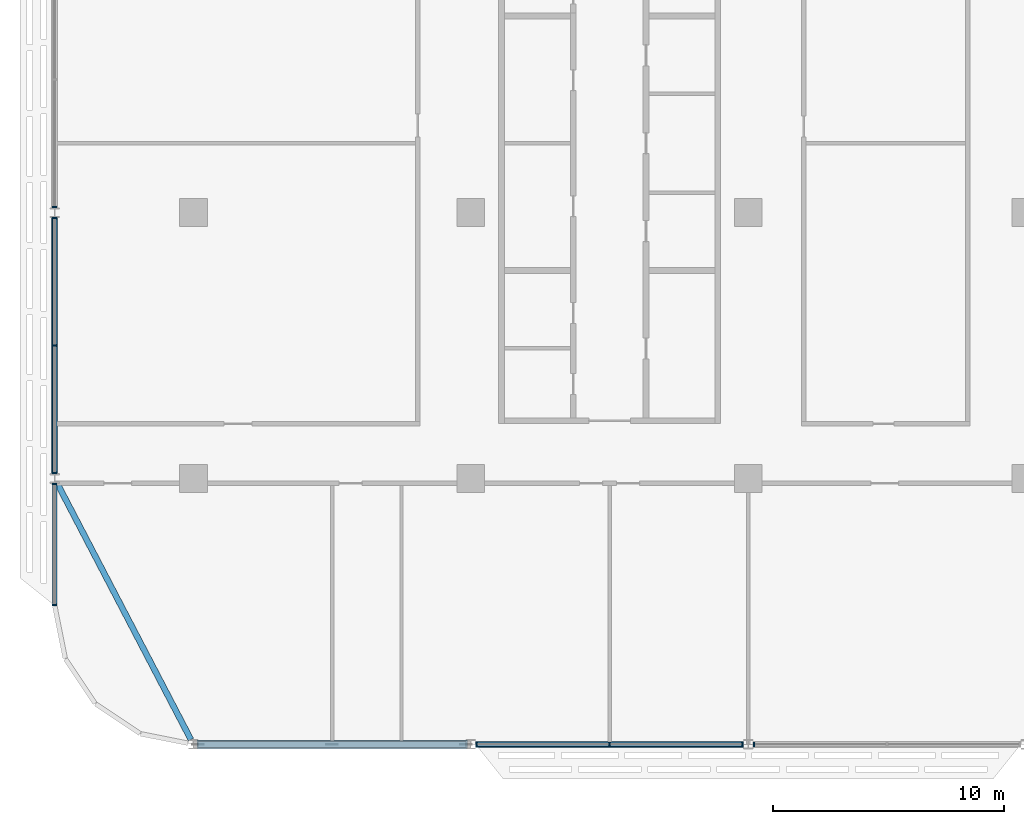
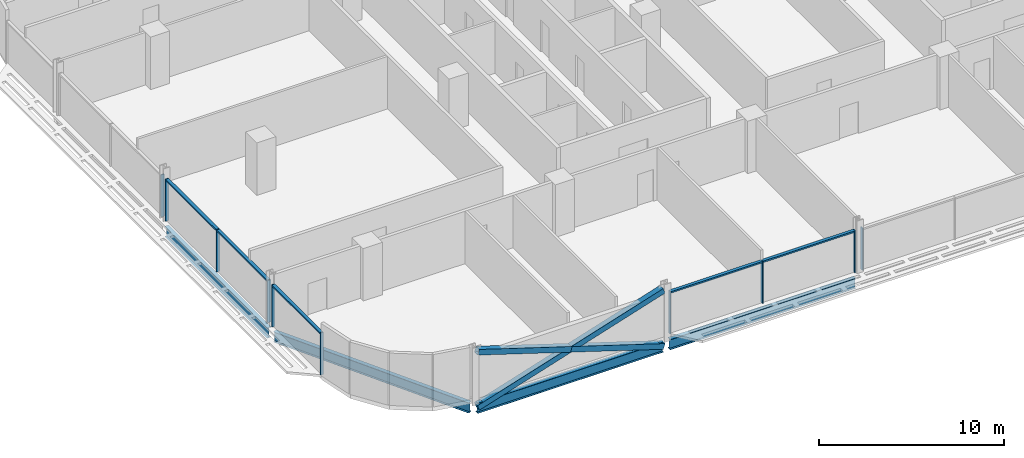
# One storey, part 3 of 27: 18 members, 4 beams, 5 elements without a shape of their own.
"""IFC4 building model written with IfcOpenShell, lengths in metres."""

from ifc_helpers import new_model, si_unit, direction, frame, origin, origin_2d, place, context, subcontext, project, spatial, rectangle, hollow_rectangle, i_section, extrude, material, material_profile, profile_set, type_object, element, aggregate, save


model = new_model("IFC4")

# Units and contexts
model_context = context("Model", 3, precision=1e-05, world=origin(), true_north=direction((0.0, 1.0)))
body_context = subcontext(model_context, "Body", "Model", "MODEL_VIEW")
ifc_project = project(units=[si_unit("LENGTHUNIT", "METRE"), si_unit("AREAUNIT", "SQUARE_METRE"), si_unit("VOLUMEUNIT", "CUBIC_METRE"), si_unit("PLANEANGLEUNIT", "RADIAN"), si_unit("MASSUNIT", "GRAM", prefix="KILO")], contexts=[model_context])

# Site, building, storey
site_placement = place(None, origin())
site = spatial("IfcSite", under=ifc_project, at=site_placement, CompositionType="ELEMENT")
building_placement = place(site_placement, origin())
building = spatial("IfcBuilding", under=site, at=building_placement, Name="Mahtab Terrace Research Tower", CompositionType="ELEMENT")
storey_placement = place(building_placement, frame((0.0, 0.0, 163.0)))
storey = spatial("IfcBuildingStorey", under=building, at=storey_placement, Name="L38", CompositionType="ELEMENT", Elevation=163.0)

# Members
ifc_material_1 = material(Name="Steel ASTM A500 Gr C", Category="steel")
ifc_material_profile_1 = material_profile(ifc_material_1, hollow_rectangle(XDim=0.355712890625, YDim=0.355712890625, WallThickness=0.015869140625, at=origin_2d()), Name="HSS14X14X5/8")
ifc_profile_set_1 = profile_set([ifc_material_profile_1], Name="Steel ASTM A500 Gr C")
member_type_1 = type_object("IfcMemberType", Name="HSS 14x14x5/8 brace XB141458", PredefinedType="BRACE", material=ifc_profile_set_1)
member_1_placement = place(storey_placement, frame((-41.796875, -23.0, -0.61474609375), z_axis=(0.953341454971, 0.0, 0.301894137463), x_axis=(0.0, 1.0, 0.0)))
element("IfcMember", 1, at=member_1_placement, inside=storey, type_object=member_type_1, Name="Exoskeleton brace L38 12 a", PredefinedType="BRACE", context=body_context, shape_type="SweptSolid", body=[
    extrude(hollow_rectangle(XDim=0.355712890625, YDim=0.355712890625, WallThickness=0.015869140625, at=origin_2d()), origin(), (0.0, 0.0, 1.0), 12.1611328125),
])
for number, where, z_axis, x_axis, name in (
    (2, (-30.203125, -23.0, -0.61474609375), (-0.953341454971, 0.0, 0.301894137463), (0.0, -1.0, 0.0), "Exoskeleton brace L38 12 b1"),
    (3, (-36.0, -23.0, 1.220947265625), (-0.953341454971, 0.0, 0.301894137463), (0.0, -1.0, 0.0), "Exoskeleton brace L38 12 b2"),
):
    element("IfcMember", number, at=place(storey_placement, frame(where, z_axis=z_axis, x_axis=x_axis)), inside=storey, type_object=member_type_1, Name=name, PredefinedType="BRACE", context=body_context, shape_type="SweptSolid", body=[
        extrude(hollow_rectangle(XDim=0.355712890625, YDim=0.355712890625, WallThickness=0.015869140625, at=origin_2d()), origin(), (0.0, 0.0, 1.0), 6.08056640625),
    ])

# Curtain wall, member
ifc_material_2 = material(Name="Laboratory ribbon curtain wall")
curtain_wall_type = type_object("IfcCurtainWallType", Name="Laboratory ribbon curtain wall", PredefinedType="NOTDEFINED", material=ifc_material_2)
curtain_wall_1_placement = place(storey_placement, origin())
curtain_wall_1 = element("IfcCurtainWall", 4, at=curtain_wall_1_placement, inside=storey, type_object=curtain_wall_type, Name="EN.L38.8.16", PredefinedType="NOTDEFINED")
ifc_material_3 = material(Name="Natural anodised aluminium", Category="aluminium")
ifc_material_profile_2 = material_profile(ifc_material_3, rectangle(XDim=0.199951171875, YDim=0.06494140625, at=origin_2d()), Name="MULLION 65x200")
ifc_profile_set_2 = profile_set([ifc_material_profile_2], Name="Natural anodised aluminium")
member_type_2 = type_object("IfcMemberType", Name="Laboratory ribbon curtain wall mullion", PredefinedType="MULLION", material=ifc_profile_set_2)
member_2_placement = place(storey_placement, frame((-48.0, 0.240478515625, 0.0), z_axis=(0.0, 0.0, 1.0), x_axis=(1.0, 0.0, 0.0)))
member_2 = element("IfcMember", 5, at=member_2_placement, type_object=member_type_2, Name="CWL-5 mullion 3", PredefinedType="MULLION", context=body_context, shape_type="SweptSolid", body=[
    extrude(rectangle(XDim=0.199951171875, YDim=0.06494140625, at=origin_2d()), origin(), (0.0, 0.0, 1.0), 2.78173828125),
])
aggregate(curtain_wall_1, [member_2])

# Curtain wall, members
curtain_wall_2_placement = place(storey_placement, origin())
curtain_wall_2 = element("IfcCurtainWall", 6, at=curtain_wall_2_placement, inside=storey, type_object=curtain_wall_type, Name="EN.L38.8.17", PredefinedType="NOTDEFINED")
member_3_placement = place(storey_placement, frame((-48.0, -0.240478515625, 0.0), z_axis=(0.0, 0.0, 1.0), x_axis=(1.0, 0.0, 0.0)))
member_3 = element("IfcMember", 7, at=member_3_placement, type_object=member_type_2, Name="CWL-5 mullion 1", PredefinedType="MULLION", context=body_context, shape_type="SweptSolid", body=[
    extrude(rectangle(XDim=0.199951171875, YDim=0.06494140625, at=origin_2d()), origin(), (0.0, 0.0, 1.0), 2.78173828125),
])
member_4_placement = place(storey_placement, frame((-48.0, -5.75, 0.0), z_axis=(0.0, 0.0, 1.0), x_axis=(1.0, 0.0, 0.0)))
member_4 = element("IfcMember", 8, at=member_4_placement, type_object=member_type_2, Name="CWL-5 mullion 2", PredefinedType="MULLION", context=body_context, shape_type="SweptSolid", body=[
    extrude(rectangle(XDim=0.199951171875, YDim=0.06494140625, at=origin_2d()), origin(), (0.0, 0.0, 1.0), 2.78173828125),
])
member_5_placement = place(storey_placement, frame((-48.0, -11.259521484375, 0.0), z_axis=(0.0, 0.0, 1.0), x_axis=(1.0, 0.0, 0.0)))
member_5 = element("IfcMember", 9, at=member_5_placement, type_object=member_type_2, Name="CWL-5 mullion 3", PredefinedType="MULLION", context=body_context, shape_type="SweptSolid", body=[
    extrude(rectangle(XDim=0.199951171875, YDim=0.06494140625, at=origin_2d()), origin(), (0.0, 0.0, 1.0), 2.78173828125),
])

curtain_wall_3_placement = place(storey_placement, origin())
curtain_wall_3 = element("IfcCurtainWall", 10, at=curtain_wall_3_placement, inside=storey, type_object=curtain_wall_type, Name="EN.L38.8.18", PredefinedType="NOTDEFINED")
member_6_placement = place(storey_placement, frame((-48.0, -11.740478515625, 0.0), z_axis=(0.0, 0.0, 1.0), x_axis=(1.0, 0.0, 0.0)))
member_6 = element("IfcMember", 11, at=member_6_placement, type_object=member_type_2, Name="CWL-5 mullion 1", PredefinedType="MULLION", context=body_context, shape_type="SweptSolid", body=[
    extrude(rectangle(XDim=0.199951171875, YDim=0.06494140625, at=origin_2d()), origin(), (0.0, 0.0, 1.0), 2.78173828125),
])
member_7_placement = place(storey_placement, frame((-48.0, -16.967529296875, 0.0), z_axis=(0.0, 0.0, 1.0), x_axis=(1.0, 0.0, 0.0)))
member_7 = element("IfcMember", 12, at=member_7_placement, type_object=member_type_2, Name="CWL-5 mullion 2", PredefinedType="MULLION", context=body_context, shape_type="SweptSolid", body=[
    extrude(rectangle(XDim=0.199951171875, YDim=0.06494140625, at=origin_2d()), origin(), (0.0, 0.0, 1.0), 2.78173828125),
])

curtain_wall_4_placement = place(storey_placement, origin())
curtain_wall_4 = element("IfcCurtainWall", 13, at=curtain_wall_4_placement, inside=storey, type_object=curtain_wall_type, Name="EN.L38.13.24", PredefinedType="NOTDEFINED")
member_8_placement = place(storey_placement, frame((-29.759521484375, -23.0, 0.0), z_axis=(0.0, 0.0, 1.0), x_axis=(0.0, 1.0, 0.0)))
member_8 = element("IfcMember", 14, at=member_8_placement, type_object=member_type_2, Name="CWL-5 mullion 1", PredefinedType="MULLION", context=body_context, shape_type="SweptSolid", body=[
    extrude(rectangle(XDim=0.199951171875, YDim=0.06494140625, at=origin_2d()), origin(), (0.0, 0.0, 1.0), 2.78173828125),
])
member_9_placement = place(storey_placement, frame((-24.0, -23.0, 0.0), z_axis=(0.0, 0.0, 1.0), x_axis=(0.0, 1.0, 0.0)))
member_9 = element("IfcMember", 15, at=member_9_placement, type_object=member_type_2, Name="CWL-5 mullion 2", PredefinedType="MULLION", context=body_context, shape_type="SweptSolid", body=[
    extrude(rectangle(XDim=0.199951171875, YDim=0.06494140625, at=origin_2d()), origin(), (0.0, 0.0, 1.0), 2.78173828125),
])
member_10_placement = place(storey_placement, frame((-18.240478515625, -23.0, 0.0), z_axis=(0.0, 0.0, 1.0), x_axis=(0.0, 1.0, 0.0)))
member_10 = element("IfcMember", 16, at=member_10_placement, type_object=member_type_2, Name="CWL-5 mullion 3", PredefinedType="MULLION", context=body_context, shape_type="SweptSolid", body=[
    extrude(rectangle(XDim=0.199951171875, YDim=0.06494140625, at=origin_2d()), origin(), (0.0, 0.0, 1.0), 2.78173828125),
])

# Curtain wall, member
curtain_wall_5_placement = place(storey_placement, origin())
curtain_wall_5 = element("IfcCurtainWall", 17, at=curtain_wall_5_placement, inside=storey, type_object=curtain_wall_type, Name="EN.L38.13.25", PredefinedType="NOTDEFINED")
member_11_placement = place(storey_placement, frame((-17.759521484375, -23.0, 0.0), z_axis=(0.0, 0.0, 1.0), x_axis=(0.0, 1.0, 0.0)))
member_11 = element("IfcMember", 18, at=member_11_placement, type_object=member_type_2, Name="CWL-5 mullion 1", PredefinedType="MULLION", context=body_context, shape_type="SweptSolid", body=[
    extrude(rectangle(XDim=0.199951171875, YDim=0.06494140625, at=origin_2d()), origin(), (0.0, 0.0, 1.0), 2.78173828125),
])
aggregate(curtain_wall_5, [member_11])

# Member
ifc_material_profile_3 = material_profile(ifc_material_3, rectangle(XDim=0.199951171875, YDim=0.10009765625, at=origin_2d()), Name="TRANSOM 100x200")
ifc_profile_set_3 = profile_set([ifc_material_profile_3], Name="Natural anodised aluminium")
member_type_3 = type_object("IfcMemberType", Name="Laboratory ribbon curtain wall transom", PredefinedType="USERDEFINED", material=ifc_profile_set_3)
member_12_placement = place(storey_placement, frame((-48.0, -0.27294921875, 2.731689453125), z_axis=(0.0, -1.0, 0.0), x_axis=(1.0, 0.0, 0.0)))
member_12 = element("IfcMember", 19, at=member_12_placement, type_object=member_type_3, Name="CWL-5 transom 1", ObjectType="TRANSOM", PredefinedType="USERDEFINED", context=body_context, shape_type="SweptSolid", body=[
    extrude(rectangle(XDim=0.199951171875, YDim=0.10009765625, at=origin_2d()), origin(), (0.0, 0.0, 1.0), 5.444580078125),
])

member_13_placement = place(storey_placement, frame((-48.0, -5.782470703125, 2.731689453125), z_axis=(0.0, -1.0, 0.0), x_axis=(1.0, 0.0, 0.0)))
member_13 = element("IfcMember", 20, at=member_13_placement, type_object=member_type_3, Name="CWL-5 transom 2", ObjectType="TRANSOM", PredefinedType="USERDEFINED", context=body_context, shape_type="SweptSolid", body=[
    extrude(rectangle(XDim=0.199951171875, YDim=0.10009765625, at=origin_2d()), origin(), (0.0, 0.0, 1.0), 5.444580078125),
])

aggregate(curtain_wall_2, [member_3, member_4, member_5, member_12, member_13])

member_14_placement = place(storey_placement, frame((-48.0, -11.77294921875, 2.731689453125), z_axis=(0.0, -1.0, 0.0), x_axis=(1.0, 0.0, 0.0)))
member_14 = element("IfcMember", 21, at=member_14_placement, type_object=member_type_3, Name="CWL-5 transom 1", ObjectType="TRANSOM", PredefinedType="USERDEFINED", context=body_context, shape_type="SweptSolid", body=[
    extrude(rectangle(XDim=0.199951171875, YDim=0.10009765625, at=origin_2d()), origin(), (0.0, 0.0, 1.0), 5.162109375),
])

aggregate(curtain_wall_3, [member_6, member_7, member_14])

member_15_placement = place(storey_placement, frame((-29.72705078125, -23.0, 2.731689453125), z_axis=(1.0, 0.0, 0.0), x_axis=(0.0, 1.0, 0.0)))
member_15 = element("IfcMember", 22, at=member_15_placement, type_object=member_type_3, Name="CWL-5 transom 1", ObjectType="TRANSOM", PredefinedType="USERDEFINED", context=body_context, shape_type="SweptSolid", body=[
    extrude(rectangle(XDim=0.199951171875, YDim=0.10009765625, at=origin_2d()), origin(), (0.0, 0.0, 1.0), 5.694580078125),
])

member_16_placement = place(storey_placement, frame((-23.967529296875, -23.0, 2.731689453125), z_axis=(1.0, 0.0, 0.0), x_axis=(0.0, 1.0, 0.0)))
member_16 = element("IfcMember", 23, at=member_16_placement, type_object=member_type_3, Name="CWL-5 transom 2", ObjectType="TRANSOM", PredefinedType="USERDEFINED", context=body_context, shape_type="SweptSolid", body=[
    extrude(rectangle(XDim=0.199951171875, YDim=0.10009765625, at=origin_2d()), origin(), (0.0, 0.0, 1.0), 5.694580078125),
])

aggregate(curtain_wall_4, [member_8, member_9, member_10, member_15, member_16])

# Beams
ifc_material_4 = material(Name="Steel ASTM A992 Gr 50", Category="steel")
ifc_material_profile_4 = material_profile(ifc_material_4, i_section(OverallWidth=0.25390625, OverallDepth=0.67822265625, WebThickness=0.01171875, FlangeThickness=0.016357421875, at=origin_2d()), Name="W27X84")
ifc_profile_set_4 = profile_set([ifc_material_profile_4], Name="Steel ASTM A992 Gr 50")
beam_type = type_object("IfcBeamType", Name="W27x84 beam BS2784", PredefinedType="BEAM", material=ifc_profile_set_4)
beam_1_placement = place(storey_placement, frame((-48.0, -0.208251953125, -0.67919921875), z_axis=(0.0, -1.0, 0.0), x_axis=(1.0, 0.0, 0.0)))
element("IfcBeam", 24, at=beam_1_placement, inside=storey, type_object=beam_type, Name="Spandrel beam L38 10", PredefinedType="BEAM", context=body_context, shape_type="SweptSolid", body=[
    extrude(i_section(OverallWidth=0.25390625, OverallDepth=0.67822265625, WebThickness=0.01171875, FlangeThickness=0.016357421875, at=origin_2d()), origin(), (0.0, 0.0, 1.0), 11.08349609375),
])
beam_2_placement = place(storey_placement, frame((-47.891357421875, -11.708251953125, -0.67919921875), z_axis=(0.462567341525, -0.886584149731, 0.0), x_axis=(0.886584149731, 0.462567341525, 0.0)))
element("IfcBeam", 25, at=beam_2_placement, inside=storey, type_object=beam_type, Name="Spandrel beam L38 11", PredefinedType="BEAM", context=body_context, shape_type="SweptSolid", body=[
    extrude(i_section(OverallWidth=0.25390625, OverallDepth=0.67822265625, WebThickness=0.01171875, FlangeThickness=0.016357421875, at=origin_2d()), origin(), (0.0, 0.0, 1.0), 12.50146484375),
])
for number, where, z_axis, x_axis, name in (
    (26, (-41.796875, -23.0, -0.67919921875), (1.0, 0.0, 0.0), (0.0, 1.0, 0.0), "Spandrel beam L38 12"),
    (27, (-29.796875, -23.0, -0.67919921875), (1.0, 0.0, 0.0), (0.0, 1.0, 0.0), "Spandrel beam L38 13"),
):
    element("IfcBeam", number, at=place(storey_placement, frame(where, z_axis=z_axis, x_axis=x_axis)), inside=storey, type_object=beam_type, Name=name, PredefinedType="BEAM", context=body_context, shape_type="SweptSolid", body=[
        extrude(i_section(OverallWidth=0.25390625, OverallDepth=0.67822265625, WebThickness=0.01171875, FlangeThickness=0.016357421875, at=origin_2d()), origin(), (0.0, 0.0, 1.0), 11.59375),
    ])

save(model, "model.ifc")
